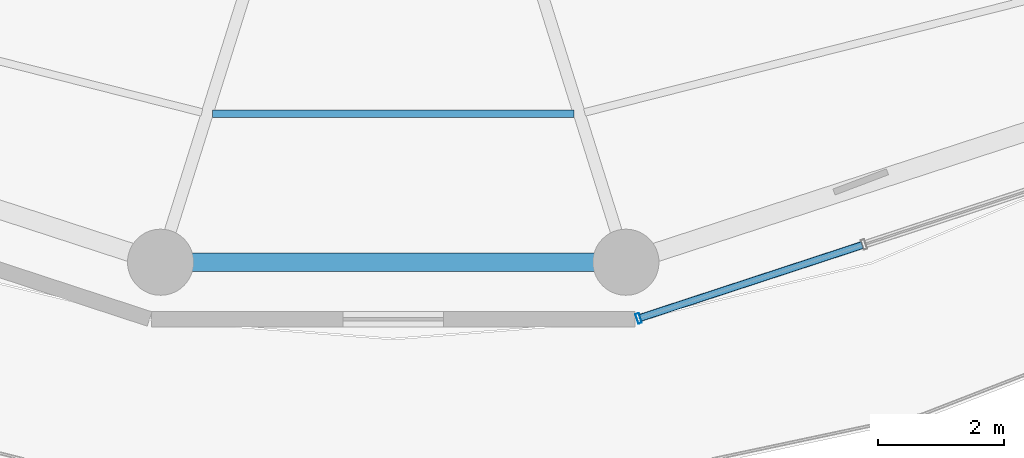
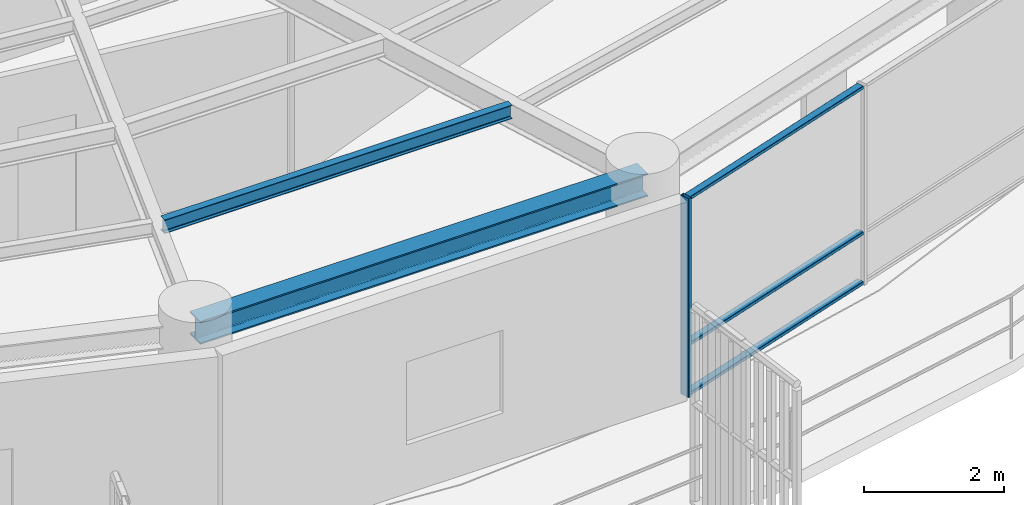
# One storey, part 4 of 31: 4 members, 2 beams, 1 element without a shape of its own.
"""IFC4 building model written with IfcOpenShell, lengths in metres."""

from ifc_helpers import new_model, si_unit, direction, frame, origin, origin_2d, place, context, subcontext, project, spatial, hollow_rectangle, i_section, extrude, material, layer, layer_set, material_profile, profile_set, type_object, element, aggregate, save


model = new_model("IFC4")

# Units and contexts
model_context = context("Model", 3, precision=1e-05, world=origin(), true_north=direction((0.0, 1.0)))
body_context = subcontext(model_context, "Body", "Model", "MODEL_VIEW")
ifc_project = project(units=[si_unit("LENGTHUNIT", "METRE"), si_unit("AREAUNIT", "SQUARE_METRE"), si_unit("VOLUMEUNIT", "CUBIC_METRE"), si_unit("PLANEANGLEUNIT", "RADIAN"), si_unit("MASSUNIT", "GRAM", prefix="KILO")], contexts=[model_context])

# Site, building, storey
site_placement = place(None, origin())
site = spatial("IfcSite", under=ifc_project, at=site_placement, CompositionType="ELEMENT")
building_placement = place(site_placement, origin())
building = spatial("IfcBuilding", under=site, at=building_placement, Name="Kelanora Arch Commons", CompositionType="ELEMENT")
storey_placement = place(building_placement, frame((0.0, 0.0, 200.699951171875)))
storey = spatial("IfcBuildingStorey", under=building, at=storey_placement, Name="L51", CompositionType="ELEMENT", Elevation=200.699951171875)

# Beams
ifc_material_1 = material(Name="Steel S355", Category="steel")
ifc_material_profile_1 = material_profile(ifc_material_1, i_section(OverallWidth=0.1201171875, OverallDepth=0.239990234375, WebThickness=0.006103515625, FlangeThickness=0.009765625, FilletRadius=0.014892578125, at=origin_2d()), Name="IPE240")
ifc_profile_set_1 = profile_set([ifc_material_profile_1], Name="Steel S355")
beam_type_1 = type_object("IfcBeamType", Name="BM-JST-02", PredefinedType="JOIST", material=ifc_profile_set_1)
beam_1_placement = place(storey_placement, frame((71.12890625, 41.56787109375, 3.3701171875), z_axis=(1.0, 0.0, 0.0), x_axis=(0.0, 1.0, 0.0)))
element("IfcBeam", 1, at=beam_1_placement, inside=storey, type_object=beam_type_1, Name="Secondary Chord Joist BJC-26 L51", PredefinedType="JOIST", context=body_context, shape_type="SweptSolid", body=[
    extrude(i_section(OverallWidth=0.1201171875, OverallDepth=0.239990234375, WebThickness=0.006103515625, FlangeThickness=0.009765625, FilletRadius=0.014892578125, at=origin_2d()), origin(), (0.0, 0.0, 1.0), 5.7421875),
])
ifc_material_profile_2 = material_profile(ifc_material_1, i_section(OverallWidth=0.300048828125, OverallDepth=0.39990234375, WebThickness=0.013427734375, FlangeThickness=0.02392578125, FilletRadius=0.027099609375, at=origin_2d()), Name="HEB400")
ifc_profile_set_2 = profile_set([ifc_material_profile_2], Name="Steel S355")
beam_type_2 = type_object("IfcBeamType", Name="BM-SPN-Z4", PredefinedType="SPANDREL", material=ifc_profile_set_2)
beam_2_placement = place(storey_placement, frame((70.3046875, 39.2099609375, 3.2900390625), z_axis=(1.0, 0.0, 0.0), x_axis=(0.0, 1.0, 0.0)))
element("IfcBeam", 2, at=beam_2_placement, inside=storey, type_object=beam_type_2, Name="Perimeter Spandrel Beam BS-26 L51", PredefinedType="SPANDREL", context=body_context, shape_type="SweptSolid", body=[
    extrude(i_section(OverallWidth=0.300048828125, OverallDepth=0.39990234375, WebThickness=0.013427734375, FlangeThickness=0.02392578125, FilletRadius=0.027099609375, at=origin_2d()), origin(), (0.0, 0.0, 1.0), 7.390625),
])

# Curtain wall, members
ifc_material_2 = material(Name="Terracotta ceramic-fritted low-E glass and aluminium", Category="masonry")
ifc_layer = layer(ifc_material_2, 0.175048828125)
ifc_layer_set = layer_set([ifc_layer], Name="Terracotta ceramic-fritted low-E glass and aluminium")
curtain_wall_type = type_object("IfcCurtainWallType", Name="CW-SYS-02", PredefinedType="NOTDEFINED", material=ifc_layer_set)
curtain_wall_placement = place(storey_placement, origin())
curtain_wall = element("IfcCurtainWall", 3, at=curtain_wall_placement, inside=storey, type_object=curtain_wall_type, Name="Unitised Curtain Wall L51-B14", PredefinedType="NOTDEFINED")
ifc_material_3 = material(Name="Powder-coated aluminium terracotta", Category="masonry")
ifc_material_profile_3 = material_profile(ifc_material_3, hollow_rectangle(XDim=0.159912109375, YDim=0.06005859375, WallThickness=0.0048828125, InnerFilletRadius=0.0048828125, OuterFilletRadius=0.010009765625, at=origin_2d()), Name="CWM160x60")
ifc_profile_set_3 = profile_set([ifc_material_profile_3], Name="Powder-coated aluminium terracotta")
member_type_1 = type_object("IfcMemberType", Name="CWM-STD", PredefinedType="MULLION", material=ifc_profile_set_3)
member_1_placement = place(storey_placement, frame((77.897705078125, 38.31787109375, 0.0), z_axis=(0.0, 0.0, 1.0), x_axis=(-0.311582439059, 0.950219124029, 0.0)))
member_1 = element("IfcMember", 4, at=member_1_placement, type_object=member_type_1, Name="CW-02 mullion 1", PredefinedType="MULLION", context=body_context, shape_type="SweptSolid", body=[
    extrude(hollow_rectangle(XDim=0.159912109375, YDim=0.06005859375, WallThickness=0.0048828125, InnerFilletRadius=0.0048828125, OuterFilletRadius=0.010009765625, at=origin_2d()), origin(), (0.0, 0.0, 1.0), 3.47509765625),
])
ifc_material_profile_4 = material_profile(ifc_material_3, hollow_rectangle(XDim=0.1201171875, YDim=0.06005859375, WallThickness=0.0048828125, InnerFilletRadius=0.0048828125, OuterFilletRadius=0.010009765625, at=origin_2d()), Name="CWT120x60")
ifc_profile_set_4 = profile_set([ifc_material_profile_4], Name="Powder-coated aluminium terracotta")
member_type_2 = type_object("IfcMemberType", Name="CWT-STD", PredefinedType="USERDEFINED", material=ifc_profile_set_4)
member_2_placement = place(storey_placement, frame((77.92626953125, 38.3271484375, 0.030029296875), z_axis=(0.950206527055, 0.311620852867, 0.0), x_axis=(-0.311620852867, 0.950206527055, 0.0)))
member_2 = element("IfcMember", 5, at=member_2_placement, type_object=member_type_2, Name="CW-02 transom 1.1", ObjectType="TRANSOM", PredefinedType="USERDEFINED", context=body_context, shape_type="SweptSolid", body=[
    extrude(hollow_rectangle(XDim=0.1201171875, YDim=0.06005859375, WallThickness=0.0048828125, InnerFilletRadius=0.0048828125, OuterFilletRadius=0.010009765625, at=origin_2d()), origin(), (0.0, 0.0, 1.0), 3.707275390625),
])
member_3_placement = place(storey_placement, frame((77.92626953125, 38.3271484375, 0.900146484375), z_axis=(0.950206527055, 0.311620852867, 0.0), x_axis=(-0.311620852867, 0.950206527055, 0.0)))
member_3 = element("IfcMember", 6, at=member_3_placement, type_object=member_type_2, Name="CW-02 transom 1.2", ObjectType="TRANSOM", PredefinedType="USERDEFINED", context=body_context, shape_type="SweptSolid", body=[
    extrude(hollow_rectangle(XDim=0.1201171875, YDim=0.06005859375, WallThickness=0.0048828125, InnerFilletRadius=0.0048828125, OuterFilletRadius=0.010009765625, at=origin_2d()), origin(), (0.0, 0.0, 1.0), 3.707275390625),
])
member_4_placement = place(storey_placement, frame((77.92626953125, 38.3271484375, 3.445068359375), z_axis=(0.950206527055, 0.311620852867, 0.0), x_axis=(-0.311620852867, 0.950206527055, 0.0)))
member_4 = element("IfcMember", 7, at=member_4_placement, type_object=member_type_2, Name="CW-02 transom 1.3", ObjectType="TRANSOM", PredefinedType="USERDEFINED", context=body_context, shape_type="SweptSolid", body=[
    extrude(hollow_rectangle(XDim=0.1201171875, YDim=0.06005859375, WallThickness=0.0048828125, InnerFilletRadius=0.0048828125, OuterFilletRadius=0.010009765625, at=origin_2d()), origin(), (0.0, 0.0, 1.0), 3.707275390625),
])
aggregate(curtain_wall, [member_1, member_2, member_3, member_4])

save(model, "model.ifc")
